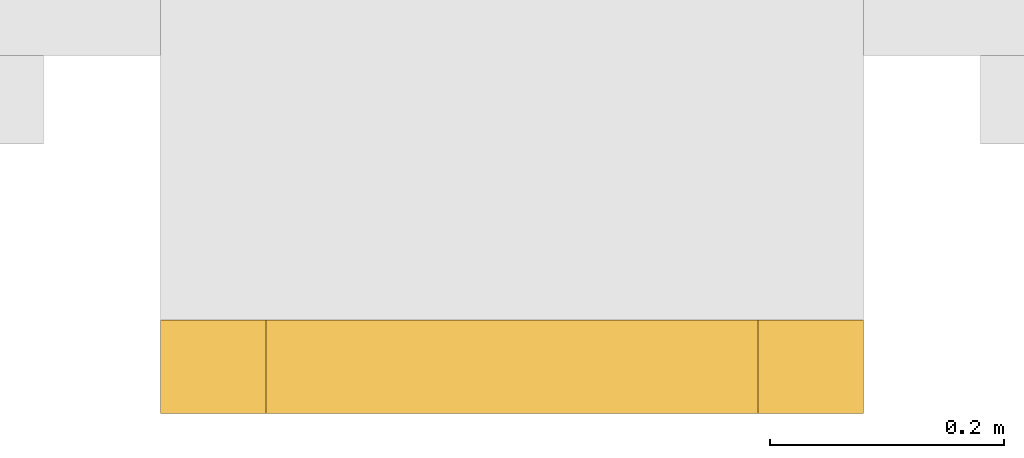
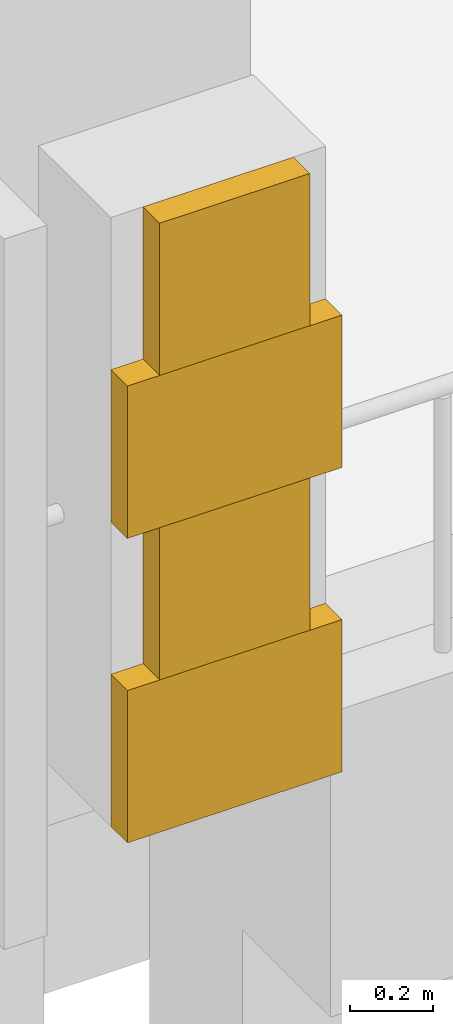
# One storey, part 23 of 24: 4 coverings.
"""IFC4 building model written with IfcOpenShell, lengths in metres."""

from ifc_helpers import new_model, si_unit, direction, frame, origin, place, context, subcontext, project, spatial, polyline, outline, extrude, material, layer, layer_set, type_object, element, save


model = new_model("IFC4")

# Units and contexts
model_context = context("Model", 3, precision=1e-05, world=origin(), true_north=direction((0.0, 1.0)))
body_context = subcontext(model_context, "Body", "Model", "MODEL_VIEW")
ifc_project = project(units=[si_unit("LENGTHUNIT", "METRE"), si_unit("AREAUNIT", "SQUARE_METRE"), si_unit("VOLUMEUNIT", "CUBIC_METRE"), si_unit("PLANEANGLEUNIT", "RADIAN"), si_unit("MASSUNIT", "GRAM", prefix="KILO")], contexts=[model_context])

# Site, building, storey
site_placement = place(None, origin())
site = spatial("IfcSite", under=ifc_project, at=site_placement, CompositionType="ELEMENT")
building_placement = place(site_placement, origin())
building = spatial("IfcBuilding", under=site, at=building_placement, Name="Cour d'Honneur Mobility Palace", CompositionType="ELEMENT")
storey_placement = place(building_placement, frame((0.0, 0.0, 26.699951171875)))
storey = spatial("IfcBuildingStorey", under=building, at=storey_placement, Name="L07", CompositionType="ELEMENT", Elevation=26.699951171875)

# Coverings
ifc_material = material(Name="Cast limestone", Category="masonry")
ifc_layer = layer(ifc_material, 0.080078125)
ifc_layer_set = layer_set([ifc_layer], Name="Cast limestone")
covering_type = type_object("IfcCoveringType", Name="Quoin block", PredefinedType="CLADDING", material=ifc_layer_set)
covering_1_placement = place(storey_placement, frame((0.0, 0.0, 0.300048828125)))
element("IfcCovering", 1, at=covering_1_placement, inside=storey, type_object=covering_type, Name="Quoin block QN-49", PredefinedType="CLADDING", context=body_context, shape_type="SweptSolid", body=[
    extrude(outline(polyline([(8.39990234375, -0.800048828125), (9.0, -0.800048828125), (9.0, -0.8798828125), (8.39990234375, -0.8798828125), (8.39990234375, -0.800048828125)])), origin(), (0.0, 0.0, 1.0), 0.449951171875),
])
covering_2_placement = place(storey_placement, frame((0.0, 0.0, 0.75)))
element("IfcCovering", 2, at=covering_2_placement, inside=storey, type_object=covering_type, Name="Quoin block QN-50", PredefinedType="CLADDING", context=body_context, shape_type="SweptSolid", body=[
    extrude(outline(polyline([(8.489990234375, -0.800048828125), (8.909912109375, -0.800048828125), (8.909912109375, -0.8798828125), (8.489990234375, -0.8798828125), (8.489990234375, -0.800048828125)])), origin(), (0.0, 0.0, 1.0), 0.449951171875),
])
covering_3_placement = place(storey_placement, frame((0.0, 0.0, 1.199951171875)))
element("IfcCovering", 3, at=covering_3_placement, inside=storey, type_object=covering_type, Name="Quoin block QN-51", PredefinedType="CLADDING", context=body_context, shape_type="SweptSolid", body=[
    extrude(outline(polyline([(8.39990234375, -0.800048828125), (9.0, -0.800048828125), (9.0, -0.8798828125), (8.39990234375, -0.8798828125), (8.39990234375, -0.800048828125)])), origin(), (0.0, 0.0, 1.0), 0.4501953125),
])
covering_4_placement = place(storey_placement, frame((0.0, 0.0, 1.650146484375)))
element("IfcCovering", 4, at=covering_4_placement, inside=storey, type_object=covering_type, Name="Quoin block QN-52", PredefinedType="CLADDING", context=body_context, shape_type="SweptSolid", body=[
    extrude(outline(polyline([(8.489990234375, -0.800048828125), (8.909912109375, -0.800048828125), (8.909912109375, -0.8798828125), (8.489990234375, -0.8798828125), (8.489990234375, -0.800048828125)])), origin(), (0.0, 0.0, 1.0), 0.449951171875),
])

save(model, "model.ifc")
